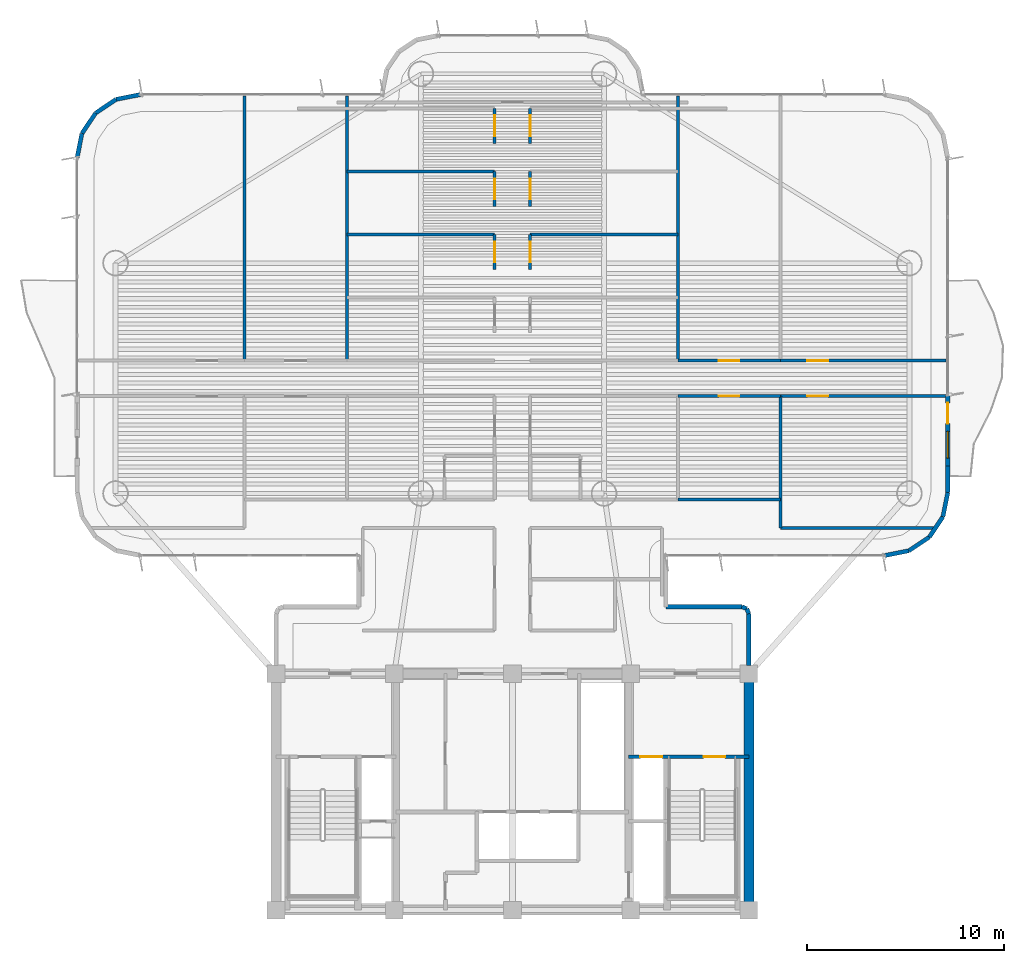
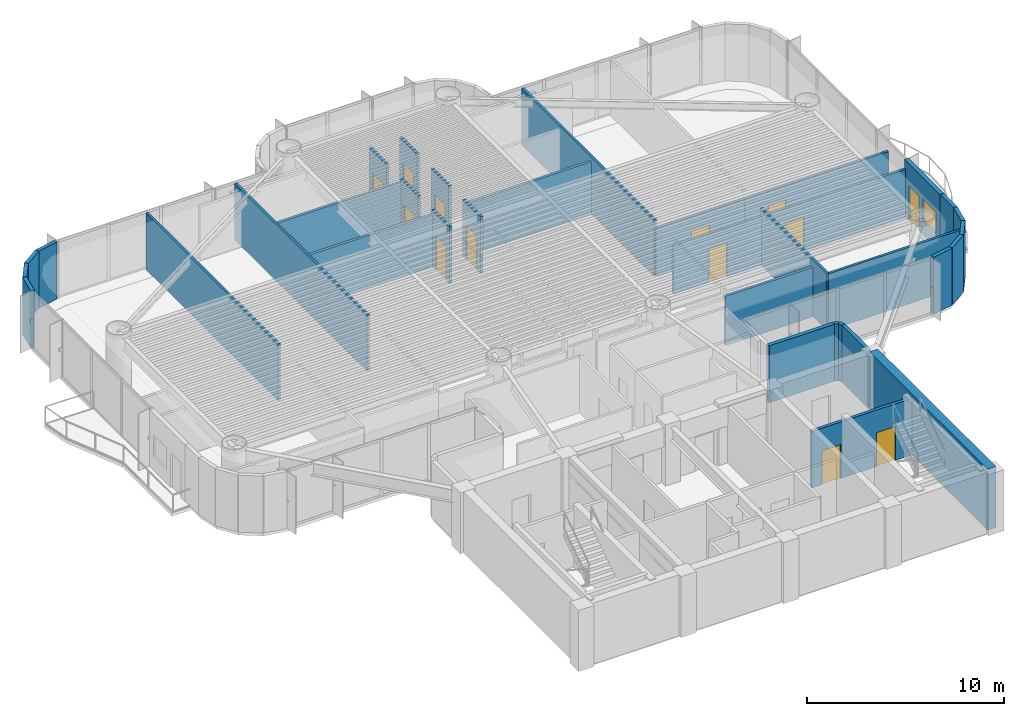
# One storey, part 11 of 16: 35 walls, 13 doors, 1 window, 14 openings.
"""IFC4 building model written with IfcOpenShell, lengths in metres."""

from ifc_helpers import new_model, si_unit, direction, frame, frame_2d, origin, origin_2d, place, context, subcontext, project, spatial, rectangle, extrude, source, transform, mapped, material, layer, layer_set, type_object, element, fill, save


model = new_model("IFC4")

# Units and contexts
model_context = context("Model", 3, precision=1e-05, world=origin(), true_north=direction((0.0, 1.0)))
body_context = subcontext(model_context, "Body", "Model", "MODEL_VIEW")
ifc_project = project(units=[si_unit("LENGTHUNIT", "METRE"), si_unit("AREAUNIT", "SQUARE_METRE"), si_unit("VOLUMEUNIT", "CUBIC_METRE"), si_unit("PLANEANGLEUNIT", "RADIAN"), si_unit("MASSUNIT", "GRAM", prefix="KILO")], contexts=[model_context])

# Site, building, storey
site_placement = place(None, origin())
site = spatial("IfcSite", under=ifc_project, at=site_placement, CompositionType="ELEMENT")
building_placement = place(site_placement, origin())
building = spatial("IfcBuilding", under=site, at=building_placement, Name="Brelvock Crest Care Tower", CompositionType="ELEMENT")
storey_placement = place(building_placement, frame((0.0, 0.0, 104.93994140625)))
storey = spatial("IfcBuildingStorey", under=building, at=storey_placement, Name="L26", CompositionType="ELEMENT", Elevation=104.93994140625)

# Wall
ifc_material_1 = material(Name="Concrete S80 (80 MPa)", Category="concrete")
ifc_layer_1 = layer(ifc_material_1, 0.5, Name="WL-CS2")
ifc_layer_set_1 = layer_set([ifc_layer_1], Name="Concrete S80 (80 MPa)")
wall_type_1 = type_object("IfcWallType", Name="WL-CS2", PredefinedType="SHEAR", material=ifc_layer_set_1)
wall_1_placement = place(storey_placement, frame((48.0, 18.0, 0.0), z_axis=(0.0, 0.0, 1.0), x_axis=(0.0, -1.0, 0.0)))
element("IfcWall", 1, at=wall_1_placement, inside=storey, type_object=wall_type_1, Name="L26 Core East Shear Wall", PredefinedType="SHEAR", context=body_context, shape_type="SweptSolid", body=[
    extrude(rectangle(XDim=12.0, YDim=0.5, at=frame_2d((6.0, 0.0))), origin(), (0.0, 0.0, 1.0), 3.780029296875),
])

# Wall, openings, door, window
ifc_material_2 = material(Name="Precast concrete N40 (40 MPa)", Category="concrete")
ifc_layer_2 = layer(ifc_material_2, 0.239990234375, Name="WL-EX1")
ifc_layer_set_2 = layer_set([ifc_layer_2], Name="Precast concrete N40 (40 MPa)")
wall_type_2 = type_object("IfcWallType", Name="WL-EX1", PredefinedType="SOLIDWALL", material=ifc_layer_set_2)
wall_2_placement = place(storey_placement, frame((58.10009765625, 32.14990234375, 0.0), z_axis=(0.0, 0.0, 1.0), x_axis=(0.0, -1.0, 0.0)))
wall_2 = element("IfcWall", 2, at=wall_2_placement, inside=storey, type_object=wall_type_2, Name="L26 Exterior Spandrel Wall WL-BAL-L26-E", PredefinedType="SOLIDWALL", context=body_context, shape_type="SweptSolid", body=[
    extrude(rectangle(XDim=3.599853515625, YDim=0.239990234375, at=frame_2d((1.7998046875, 0.0))), origin(), (0.0, 0.0, 1.0), 3.530029296875),
])
opening_1_placement = place(wall_2_placement, frame((0.39990234375, 0.0, 0.0)))
opening_1 = element("IfcOpeningElement", 3, at=opening_1_placement, cuts=wall_2, Name="Opening BD-1", PredefinedType="OPENING", context=body_context, shape_type="SweptSolid", body=[
    extrude(rectangle(XDim=1.050048828125, YDim=2.14990234375, at=origin_2d()), frame((0.52490234375, 0.1298828125, 1.074951171875), z_axis=(0.0, -1.0, 0.0), x_axis=(1.0, 0.0, 0.0)), (0.0, 0.0, 1.0), 0.260009765625),
])
opening_2_placement = place(wall_2_placement, frame((1.85009765625, 0.0, 0.85009765625)))
opening_2 = element("IfcOpeningElement", 4, at=opening_2_placement, cuts=wall_2, Name="Opening W-01", PredefinedType="OPENING", context=body_context, shape_type="SweptSolid", body=[
    extrude(rectangle(XDim=1.35009765625, YDim=1.35009765625, at=origin_2d()), frame((0.675048828125, 0.1298828125, 0.675048828125), z_axis=(0.0, -1.0, 0.0), x_axis=(1.0, 0.0, 0.0)), (0.0, 0.0, 1.0), 0.260009765625),
])
ifc_material_3 = material(Name="Dark Glass Double Glazed Low-E", Category="glass")
door_type_1 = type_object("IfcDoorType", Name="DR-BAL1", OperationType="NOTDEFINED", PredefinedType="DOOR", material=ifc_material_3)
shared_shape_1 = source(origin(), body_context, "Body", "SweptSolid", [
    extrude(rectangle(XDim=1.050048828125, YDim=2.14990234375, at=origin_2d()), frame((0.52490234375, 0.02490234375, 1.074951171875), z_axis=(0.0, -1.0, 0.0), x_axis=(1.0, 0.0, 0.0)), (0.0, 0.0, 1.0), 0.050048828125),
])
door_1_placement = place(opening_1_placement, origin())
door_1 = element("IfcDoor", 5, at=door_1_placement, inside=storey, type_object=door_type_1, Name="L26 E Wave Balcony Glazed Door", OperationType="SINGLE_SWING_RIGHT", OverallHeight=2.14990234375, OverallWidth=1.050048828125, PredefinedType="DOOR", context=body_context, shape_type="MappedRepresentation", body=[
    mapped(shared_shape_1, transform((0.0, 0.0, 0.0), x_axis=(1.0, 0.0, 0.0), y_axis=(0.0, 1.0, 0.0), z_axis=(0.0, 0.0, 1.0), scale=1.0)),
])
fill(opening_1, door_1)
window_type = type_object("IfcWindowType", Name="WN-EX1", PartitioningType="SINGLE_PANEL", PredefinedType="WINDOW", material=ifc_material_3)
shared_shape_2 = source(origin(), body_context, "Body", "SweptSolid", [
    extrude(rectangle(XDim=1.35009765625, YDim=1.35009765625, at=origin_2d()), frame((0.675048828125, 0.030029296875, 0.675048828125), z_axis=(0.0, -1.0, 0.0), x_axis=(1.0, 0.0, 0.0)), (0.0, 0.0, 1.0), 0.06005859375),
])
window_placement = place(opening_2_placement, origin())
window = element("IfcWindow", 6, at=window_placement, inside=storey, type_object=window_type, Name="L26 E Suite Casement Window", OverallHeight=1.35009765625, OverallWidth=1.35009765625, PartitioningType="SINGLE_PANEL", PredefinedType="WINDOW", context=body_context, shape_type="MappedRepresentation", body=[
    mapped(shared_shape_2, transform((0.0, 0.0, 0.0), x_axis=(1.0, 0.0, 0.0), y_axis=(0.0, 1.0, 0.0), z_axis=(0.0, 0.0, 1.0), scale=1.0)),
])
fill(opening_2, window)

# Walls
ifc_layer_3 = layer(ifc_material_2, 0.215087890625, Name="WL-EX2")
ifc_layer_set_3 = layer_set([ifc_layer_3], Name="Precast concrete N40 (40 MPa)")
wall_type_3 = type_object("IfcWallType", Name="WL-EX2", PredefinedType="SOLIDWALL", material=ifc_layer_set_3)
wall_3_placement = place(storey_placement, frame((47.8974609375, 21.297607421875, 0.0), z_axis=(0.0, 0.0, 1.0), x_axis=(0.382673670509, -0.923883575944, 0.0)))
element("IfcWall", 7, at=wall_3_placement, inside=storey, type_object=wall_type_3, Name="L26 Rounded Corner Wall 00", PredefinedType="SOLIDWALL", context=body_context, shape_type="SweptSolid", body=[
    extrude(rectangle(XDim=0.26806640625, YDim=0.215087890625, at=frame_2d((0.134033203125, 0.0))), origin(), (0.0, 0.0, 1.0), 3.530029296875),
])
wall_4_placement = place(storey_placement, frame((48.0, 21.050048828125, 0.0), z_axis=(0.0, 0.0, 1.0), x_axis=(0.0, -1.0, 0.0)))
element("IfcWall", 8, at=wall_4_placement, inside=storey, type_object=wall_type_3, Name="L26 Rounded Corner Wall 01", PredefinedType="SOLIDWALL", context=body_context, shape_type="SweptSolid", body=[
    extrude(rectangle(XDim=2.6201171875, YDim=0.215087890625, at=frame_2d((1.31005859375, 0.0))), origin(), (0.0, 0.0, 1.0), 3.530029296875),
])
for number, where, z_axis, x_axis, name in (
    (9, (13.89990234375, 44.199951171875, 0.0), (0.0, 0.0, 1.0), (0.195138390419, 0.980775717779, 0.0), "L26 Rounded Corner Wall 18"),
    (10, (14.1435546875, 45.424560546875, 0.0), (0.0, 0.0, 1.0), (0.555692485475, 0.831387912822, 0.0), "L26 Rounded Corner Wall 19"),
    (11, (14.83740234375, 46.462646484375, 0.0), (0.0, 0.0, 1.0), (0.831387912822, 0.555692485475, 0.0), "L26 Rounded Corner Wall 20"),
    (12, (15.87548828125, 47.156494140625, 0.0), (0.0, 0.0, 1.0), (0.980813122964, 0.194950295773, 0.0), "L26 Rounded Corner Wall 21"),
):
    element("IfcWall", number, at=place(storey_placement, frame(where, z_axis=z_axis, x_axis=x_axis)), inside=storey, type_object=wall_type_3, Name=name, PredefinedType="SOLIDWALL", context=body_context, shape_type="SweptSolid", body=[
        extrude(rectangle(XDim=1.24853515625, YDim=0.215087890625, at=frame_2d((0.624267578125, 0.0))), origin(), (0.0, 0.0, 1.0), 3.530029296875),
    ])
wall_5_placement = place(storey_placement, frame((58.10009765625, 28.550048828125, 0.0), z_axis=(0.0, 0.0, 1.0), x_axis=(0.0, -1.0, 0.0)))
element("IfcWall", 13, at=wall_5_placement, inside=storey, type_object=wall_type_3, Name="L26 Exterior Spandrel Pier E39B", PredefinedType="SOLIDWALL", context=body_context, shape_type="SweptSolid", body=[
    extrude(rectangle(XDim=1.35009765625, YDim=0.215087890625, at=frame_2d((0.675048828125, 0.0))), origin(), (0.0, 0.0, 1.0), 3.530029296875),
])
for number, where, z_axis, x_axis, name in (
    (14, (58.10009765625, 27.199951171875, 0.0), (0.0, 0.0, 1.0), (-0.195138390419, -0.980775717779, 0.0), "L26 Rounded Corner Wall 40"),
    (15, (57.8564453125, 25.975341796875, 0.0), (0.0, 0.0, 1.0), (-0.555692485475, -0.831387912822, 0.0), "L26 Rounded Corner Wall 41"),
    (16, (57.16259765625, 24.937255859375, 0.0), (0.0, 0.0, 1.0), (-0.831478245117, -0.555557312883, 0.0), "L26 Rounded Corner Wall 42"),
    (17, (56.12451171875, 24.24365234375, 0.0), (0.0, 0.0, 1.0), (-0.980775717779, -0.195138390419, 0.0), "L26 Rounded Corner Wall 43"),
):
    element("IfcWall", number, at=place(storey_placement, frame(where, z_axis=z_axis, x_axis=x_axis)), inside=storey, type_object=wall_type_3, Name=name, PredefinedType="SOLIDWALL", context=body_context, shape_type="SweptSolid", body=[
        extrude(rectangle(XDim=1.24853515625, YDim=0.215087890625, at=frame_2d((0.624267578125, 0.0))), origin(), (0.0, 0.0, 1.0), 3.530029296875),
    ])
wall_6_placement = place(storey_placement, frame((43.800048828125, 21.39990234375, 0.0), z_axis=(0.0, 0.0, 1.0), x_axis=(1.0, 0.0, 0.0)))
element("IfcWall", 18, at=wall_6_placement, inside=storey, type_object=wall_type_3, Name="L26 Rounded Corner Wall 46", PredefinedType="SOLIDWALL", context=body_context, shape_type="SweptSolid", body=[
    extrude(rectangle(XDim=3.849853515625, YDim=0.215087890625, at=frame_2d((1.9248046875, 0.0))), origin(), (0.0, 0.0, 1.0), 3.530029296875),
])
wall_7_placement = place(storey_placement, frame((47.64990234375, 21.39990234375, 0.0), z_axis=(0.0, 0.0, 1.0), x_axis=(0.924205486139, -0.381895560841, 0.0)))
element("IfcWall", 19, at=wall_7_placement, inside=storey, type_object=wall_type_3, Name="L26 Rounded Corner Wall 47", PredefinedType="SOLIDWALL", context=body_context, shape_type="SweptSolid", body=[
    extrude(rectangle(XDim=0.267822265625, YDim=0.215087890625, at=frame_2d((0.1337890625, 0.0))), origin(), (0.0, 0.0, 1.0), 3.530029296875),
])
ifc_material_4 = material(Name="Masonry Blockwork Acoustic Partition", Category="masonry")
ifc_layer_4 = layer(ifc_material_4, 0.14990234375, Name="WL-INT1")
ifc_layer_set_4 = layer_set([ifc_layer_4], Name="Masonry Blockwork Acoustic Partition")
wall_type_4 = type_object("IfcWallType", Name="WL-INT1", PredefinedType="PARTITIONING", material=ifc_layer_set_4)
wall_8_placement = place(storey_placement, frame((49.60009765625, 25.39990234375, 0.0), z_axis=(0.0, 0.0, 1.0), x_axis=(1.0, 0.0, 0.0)))
element("IfcWall", 20, at=wall_8_placement, inside=storey, type_object=wall_type_4, Name="L26 Interior Wall WL-BX-L26-SEB-S", PredefinedType="PARTITIONING", context=body_context, shape_type="SweptSolid", body=[
    extrude(rectangle(XDim=7.775634765625, YDim=0.14990234375, at=frame_2d((3.8876953125, 0.0))), origin(), (0.0, 0.0, 1.0), 3.5),
])
wall_9_placement = place(storey_placement, frame((44.39990234375, 26.85009765625, 0.0), z_axis=(0.0, 0.0, 1.0), x_axis=(1.0, 0.0, 0.0)))
element("IfcWall", 21, at=wall_9_placement, inside=storey, type_object=wall_type_4, Name="L26 Interior Wall WL-BX-L26-ISED-S", PredefinedType="PARTITIONING", context=body_context, shape_type="SweptSolid", body=[
    extrude(rectangle(XDim=5.2001953125, YDim=0.14990234375, at=frame_2d((2.60009765625, 0.0))), origin(), (0.0, 0.0, 1.0), 3.05517578125),
])

# Wall, opening, door
wall_10_placement = place(storey_placement, frame((44.39990234375, 32.10009765625, 0.0), z_axis=(0.0, 0.0, 1.0), x_axis=(1.0, 0.0, 0.0)))
wall_10 = element("IfcWall", 22, at=wall_10_placement, inside=storey, type_object=wall_type_4, Name="L26 Interior Wall WL-RM-L26-ISED", PredefinedType="PARTITIONING", context=body_context, shape_type="SweptSolid", body=[
    extrude(rectangle(XDim=5.2001953125, YDim=0.14990234375, at=frame_2d((2.60009765625, 0.0))), origin(), (0.0, 0.0, 1.0), 2.982177734375),
])
opening_3_placement = place(wall_10_placement, frame((2.074951171875, 0.0, 0.0)))
opening_3 = element("IfcOpeningElement", 23, at=opening_3_placement, cuts=wall_10, Name="Opening CLD-1", PredefinedType="OPENING", context=body_context, shape_type="SweptSolid", body=[
    extrude(rectangle(XDim=1.050048828125, YDim=2.10009765625, at=origin_2d()), frame((0.52490234375, 0.0849609375, 1.050048828125), z_axis=(0.0, -1.0, 0.0), x_axis=(1.0, 0.0, 0.0)), (0.0, 0.0, 1.0), 0.169921875),
])
ifc_material_5 = material(Name="Engineered Hardwood Timber", Category="wood")
door_type_2 = type_object("IfcDoorType", Name="DR-CLN1", OperationType="NOTDEFINED", PredefinedType="DOOR", material=ifc_material_5)
shared_shape_3 = source(origin(), body_context, "Body", "SweptSolid", [
    extrude(rectangle(XDim=1.050048828125, YDim=2.10009765625, at=origin_2d()), frame((0.52490234375, 0.02490234375, 1.050048828125), z_axis=(0.0, -1.0, 0.0), x_axis=(1.0, 0.0, 0.0)), (0.0, 0.0, 1.0), 0.050048828125),
])
door_2_placement = place(opening_3_placement, origin())
door_2 = element("IfcDoor", 24, at=door_2_placement, inside=storey, type_object=door_type_2, Name="L26 Geriatric Nurse Station Door ISED", OperationType="SINGLE_SWING_LEFT", OverallHeight=2.10009765625, OverallWidth=1.050048828125, PredefinedType="DOOR", context=body_context, shape_type="MappedRepresentation", body=[
    mapped(shared_shape_3, transform((0.0, 0.0, 0.0), x_axis=(1.0, 0.0, 0.0), y_axis=(0.0, 1.0, 0.0), z_axis=(0.0, 0.0, 1.0), scale=1.0)),
])
fill(opening_3, door_2)

wall_11_placement = place(storey_placement, frame((49.60009765625, 32.10009765625, 0.0), z_axis=(0.0, 0.0, 1.0), x_axis=(1.0, 0.0, 0.0)))
wall_11 = element("IfcWall", 25, at=wall_11_placement, inside=storey, type_object=wall_type_4, Name="L26 Interior Wall WL-RM-L26-SEB", PredefinedType="PARTITIONING", context=body_context, shape_type="SweptSolid", body=[
    extrude(rectangle(XDim=8.419921875, YDim=0.14990234375, at=frame_2d((4.2099609375, 0.0))), origin(), (0.0, 0.0, 1.0), 2.982177734375),
])
opening_4_placement = place(wall_11_placement, frame((1.375, 0.0, 0.0)))
opening_4 = element("IfcOpeningElement", 26, at=opening_4_placement, cuts=wall_11, Name="Opening CD-1", PredefinedType="OPENING", context=body_context, shape_type="SweptSolid", body=[
    extrude(rectangle(XDim=1.050048828125, YDim=2.10009765625, at=origin_2d()), frame((0.52490234375, 0.0849609375, 1.050048828125), z_axis=(0.0, -1.0, 0.0), x_axis=(1.0, 0.0, 0.0)), (0.0, 0.0, 1.0), 0.169921875),
])
door_type_3 = type_object("IfcDoorType", Name="DR-CARE1", OperationType="NOTDEFINED", PredefinedType="DOOR", material=ifc_material_5)
shared_shape_4 = source(origin(), body_context, "Body", "SweptSolid", [
    extrude(rectangle(XDim=1.050048828125, YDim=2.10009765625, at=origin_2d()), frame((0.52490234375, 0.02490234375, 1.050048828125), z_axis=(0.0, -1.0, 0.0), x_axis=(1.0, 0.0, 0.0)), (0.0, 0.0, 1.0), 0.050048828125),
])
door_3_placement = place(opening_4_placement, origin())
door_3 = element("IfcDoor", 27, at=door_3_placement, inside=storey, type_object=door_type_3, Name="L26 Assisted Care Therapy Hall Door SEB", OperationType="SINGLE_SWING_LEFT", OverallHeight=2.10009765625, OverallWidth=1.050048828125, PredefinedType="DOOR", context=body_context, shape_type="MappedRepresentation", body=[
    mapped(shared_shape_4, transform((0.0, 0.0, 0.0), x_axis=(1.0, 0.0, 0.0), y_axis=(0.0, 1.0, 0.0), z_axis=(0.0, 0.0, 1.0), scale=1.0)),
])
fill(opening_4, door_3)

wall_12_placement = place(storey_placement, frame((44.39990234375, 33.89990234375, 0.0), z_axis=(0.0, 0.0, 1.0), x_axis=(1.0, 0.0, 0.0)))
wall_12 = element("IfcWall", 28, at=wall_12_placement, inside=storey, type_object=wall_type_4, Name="L26 Interior Wall WL-RM-L26-INED", PredefinedType="PARTITIONING", context=body_context, shape_type="SweptSolid", body=[
    extrude(rectangle(XDim=5.2001953125, YDim=0.14990234375, at=frame_2d((2.60009765625, 0.0))), origin(), (0.0, 0.0, 1.0), 2.982177734375),
])
opening_5_placement = place(wall_12_placement, frame((2.074951171875, 0.0, 0.0)))
opening_5 = element("IfcOpeningElement", 29, at=opening_5_placement, cuts=wall_12, Name="Opening CLD-1", PredefinedType="OPENING", context=body_context, shape_type="SweptSolid", body=[
    extrude(rectangle(XDim=1.050048828125, YDim=2.10009765625, at=origin_2d()), frame((0.52490234375, 0.0849609375, 1.050048828125), z_axis=(0.0, -1.0, 0.0), x_axis=(1.0, 0.0, 0.0)), (0.0, 0.0, 1.0), 0.169921875),
])
door_4_placement = place(opening_5_placement, origin())
door_4 = element("IfcDoor", 30, at=door_4_placement, inside=storey, type_object=door_type_2, Name="L26 Geriatric Nurse Station Door INED", OperationType="SINGLE_SWING_LEFT", OverallHeight=2.10009765625, OverallWidth=1.050048828125, PredefinedType="DOOR", context=body_context, shape_type="MappedRepresentation", body=[
    mapped(shared_shape_3, transform((0.0, 0.0, 0.0), x_axis=(1.0, 0.0, 0.0), y_axis=(0.0, 1.0, 0.0), z_axis=(0.0, 0.0, 1.0), scale=1.0)),
])
fill(opening_5, door_4)

wall_13_placement = place(storey_placement, frame((49.60009765625, 33.89990234375, 0.0), z_axis=(0.0, 0.0, 1.0), x_axis=(1.0, 0.0, 0.0)))
wall_13 = element("IfcWall", 31, at=wall_13_placement, inside=storey, type_object=wall_type_4, Name="L26 Interior Wall WL-RM-L26-NEB", PredefinedType="PARTITIONING", context=body_context, shape_type="SweptSolid", body=[
    extrude(rectangle(XDim=8.419921875, YDim=0.14990234375, at=frame_2d((4.2099609375, 0.0))), origin(), (0.0, 0.0, 1.0), 2.982177734375),
])
opening_6_placement = place(wall_13_placement, frame((1.375, 0.0, 0.0)))
opening_6 = element("IfcOpeningElement", 32, at=opening_6_placement, cuts=wall_13, Name="Opening CD-1", PredefinedType="OPENING", context=body_context, shape_type="SweptSolid", body=[
    extrude(rectangle(XDim=1.050048828125, YDim=2.10009765625, at=origin_2d()), frame((0.52490234375, 0.0849609375, 1.050048828125), z_axis=(0.0, -1.0, 0.0), x_axis=(1.0, 0.0, 0.0)), (0.0, 0.0, 1.0), 0.169921875),
])
door_5_placement = place(opening_6_placement, origin())
door_5 = element("IfcDoor", 33, at=door_5_placement, inside=storey, type_object=door_type_3, Name="L26 Assisted Care Therapy Hall Door NEB", OperationType="SINGLE_SWING_LEFT", OverallHeight=2.10009765625, OverallWidth=1.050048828125, PredefinedType="DOOR", context=body_context, shape_type="MappedRepresentation", body=[
    mapped(shared_shape_4, transform((0.0, 0.0, 0.0), x_axis=(1.0, 0.0, 0.0), y_axis=(0.0, 1.0, 0.0), z_axis=(0.0, 0.0, 1.0), scale=1.0)),
])
fill(opening_6, door_5)

# Walls
for number, where, z_axis, x_axis, name in (
    (34, (27.60009765625, 40.300048828125, 0.0), (0.0, 0.0, 1.0), (1.0, 0.0, 0.0), "L26 Interior Wall WL-BX-L26-CS-INWCAB-N"),
    (35, (36.89990234375, 40.300048828125, 0.0), (0.0, 0.0, 1.0), (1.0, 0.0, 0.0), "L26 Interior Wall WL-BX-L26-CS-INECAB-N"),
):
    element("IfcWall", number, at=place(storey_placement, frame(where, z_axis=z_axis, x_axis=x_axis)), inside=storey, type_object=wall_type_4, Name=name, PredefinedType="PARTITIONING", context=body_context, shape_type="SweptSolid", body=[
        extrude(rectangle(XDim=7.5, YDim=0.14990234375, at=frame_2d((3.75, 0.0))), origin(), (0.0, 0.0, 1.0), 3.259033203125),
    ])
wall_14_placement = place(storey_placement, frame((27.60009765625, 43.5, 0.0), z_axis=(0.0, 0.0, 1.0), x_axis=(1.0, 0.0, 0.0)))
element("IfcWall", 36, at=wall_14_placement, inside=storey, type_object=wall_type_4, Name="L26 Interior Wall WL-BX-L26-CS-INWCBA-N", PredefinedType="PARTITIONING", context=body_context, shape_type="SweptSolid", body=[
    extrude(rectangle(XDim=7.5, YDim=0.14990234375, at=frame_2d((3.75, 0.0))), origin(), (0.0, 0.0, 1.0), 3.30810546875),
])
wall_15_placement = place(storey_placement, frame((22.39990234375, 33.89990234375, 0.0), z_axis=(0.0, 0.0, 1.0), x_axis=(0.0, 1.0, 0.0)))
element("IfcWall", 37, at=wall_15_placement, inside=storey, type_object=wall_type_4, Name="L26 Interior Wall WL-BX-L26-INWD-W", PredefinedType="PARTITIONING", context=body_context, shape_type="SweptSolid", body=[
    extrude(rectangle(XDim=13.4208984375, YDim=0.14990234375, at=frame_2d((6.71044921875, 0.0))), origin(), (0.0, 0.0, 1.0), 3.5),
])
wall_16_placement = place(storey_placement, frame((27.60009765625, 33.89990234375, 0.0), z_axis=(0.0, 0.0, 1.0), x_axis=(0.0, 1.0, 0.0)))
element("IfcWall", 38, at=wall_16_placement, inside=storey, type_object=wall_type_4, Name="L26 Interior Wall WL-BX-L26-INWD-E", PredefinedType="PARTITIONING", context=body_context, shape_type="SweptSolid", body=[
    extrude(rectangle(XDim=13.42138671875, YDim=0.14990234375, at=frame_2d((6.710693359375, 0.0))), origin(), (0.0, 0.0, 1.0), 3.5),
])

# Wall, opening, door
wall_17_placement = place(storey_placement, frame((35.10009765625, 38.52001953125, 0.0), z_axis=(0.0, 0.0, 1.0), x_axis=(0.0, 1.0, 0.0)))
wall_17 = element("IfcWall", 39, at=wall_17_placement, inside=storey, type_object=wall_type_4, Name="L26 Interior Wall WL-CENT-L26-INWCAB", PredefinedType="PARTITIONING", context=body_context, shape_type="SweptSolid", body=[
    extrude(rectangle(XDim=1.780029296875, YDim=0.14990234375, at=frame_2d((0.89013671875, 0.0))), origin(), (0.0, 0.0, 1.0), 3.5),
])
opening_7_placement = place(wall_17_placement, frame((0.3701171875, 0.0, 0.0)))
opening_7 = element("IfcOpeningElement", 40, at=opening_7_placement, cuts=wall_17, Name="Opening CD-1", PredefinedType="OPENING", context=body_context, shape_type="SweptSolid", body=[
    extrude(rectangle(XDim=1.050048828125, YDim=2.10009765625, at=origin_2d()), frame((0.52490234375, 0.0849609375, 1.050048828125), z_axis=(0.0, -1.0, 0.0), x_axis=(1.0, 0.0, 0.0)), (0.0, 0.0, 1.0), 0.169921875),
])
door_6_placement = place(opening_7_placement, origin())
door_6 = element("IfcDoor", 41, at=door_6_placement, inside=storey, type_object=door_type_3, Name="L26 Care Suite Door INWCAB", OperationType="SINGLE_SWING_LEFT", OverallHeight=2.10009765625, OverallWidth=1.050048828125, PredefinedType="DOOR", context=body_context, shape_type="MappedRepresentation", body=[
    mapped(shared_shape_4, transform((0.0, 0.0, 0.0), x_axis=(1.0, 0.0, 0.0), y_axis=(0.0, 1.0, 0.0), z_axis=(0.0, 0.0, 1.0), scale=1.0)),
])
fill(opening_7, door_6)

wall_18_placement = place(storey_placement, frame((35.10009765625, 41.719970703125, 0.0), z_axis=(0.0, 0.0, 1.0), x_axis=(0.0, 1.0, 0.0)))
wall_18 = element("IfcWall", 42, at=wall_18_placement, inside=storey, type_object=wall_type_4, Name="L26 Interior Wall WL-CENT-L26-INWCBA", PredefinedType="PARTITIONING", context=body_context, shape_type="SweptSolid", body=[
    extrude(rectangle(XDim=1.780029296875, YDim=0.14990234375, at=frame_2d((0.89013671875, 0.0))), origin(), (0.0, 0.0, 1.0), 3.5),
])
opening_8_placement = place(wall_18_placement, frame((0.3701171875, 0.0, 0.0)))
opening_8 = element("IfcOpeningElement", 43, at=opening_8_placement, cuts=wall_18, Name="Opening CD-1", PredefinedType="OPENING", context=body_context, shape_type="SweptSolid", body=[
    extrude(rectangle(XDim=1.050048828125, YDim=2.10009765625, at=origin_2d()), frame((0.52490234375, 0.0849609375, 1.050048828125), z_axis=(0.0, -1.0, 0.0), x_axis=(1.0, 0.0, 0.0)), (0.0, 0.0, 1.0), 0.169921875),
])
door_7_placement = place(opening_8_placement, origin())
door_7 = element("IfcDoor", 44, at=door_7_placement, inside=storey, type_object=door_type_3, Name="L26 Care Suite Door INWCBA", OperationType="SINGLE_SWING_LEFT", OverallHeight=2.10009765625, OverallWidth=1.050048828125, PredefinedType="DOOR", context=body_context, shape_type="MappedRepresentation", body=[
    mapped(shared_shape_4, transform((0.0, 0.0, 0.0), x_axis=(1.0, 0.0, 0.0), y_axis=(0.0, 1.0, 0.0), z_axis=(0.0, 0.0, 1.0), scale=1.0)),
])
fill(opening_8, door_7)

wall_19_placement = place(storey_placement, frame((35.10009765625, 44.919921875, 0.0), z_axis=(0.0, 0.0, 1.0), x_axis=(0.0, 1.0, 0.0)))
wall_19 = element("IfcWall", 45, at=wall_19_placement, inside=storey, type_object=wall_type_4, Name="L26 Interior Wall WL-CENT-L26-INWCBB", PredefinedType="PARTITIONING", context=body_context, shape_type="SweptSolid", body=[
    extrude(rectangle(XDim=1.780029296875, YDim=0.14990234375, at=frame_2d((0.89013671875, 0.0))), origin(), (0.0, 0.0, 1.0), 3.5),
])
opening_9_placement = place(wall_19_placement, frame((0.3701171875, 0.0, 0.0)))
opening_9 = element("IfcOpeningElement", 46, at=opening_9_placement, cuts=wall_19, Name="Opening CD-1", PredefinedType="OPENING", context=body_context, shape_type="SweptSolid", body=[
    extrude(rectangle(XDim=1.050048828125, YDim=2.10009765625, at=origin_2d()), frame((0.52490234375, 0.0849609375, 1.050048828125), z_axis=(0.0, -1.0, 0.0), x_axis=(1.0, 0.0, 0.0)), (0.0, 0.0, 1.0), 0.169921875),
])
door_8_placement = place(opening_9_placement, origin())
door_8 = element("IfcDoor", 47, at=door_8_placement, inside=storey, type_object=door_type_3, Name="L26 Care Suite Door INWCBB", OperationType="SINGLE_SWING_LEFT", OverallHeight=2.10009765625, OverallWidth=1.050048828125, PredefinedType="DOOR", context=body_context, shape_type="MappedRepresentation", body=[
    mapped(shared_shape_4, transform((0.0, 0.0, 0.0), x_axis=(1.0, 0.0, 0.0), y_axis=(0.0, 1.0, 0.0), z_axis=(0.0, 0.0, 1.0), scale=1.0)),
])
fill(opening_9, door_8)

wall_20_placement = place(storey_placement, frame((36.89990234375, 38.52001953125, 0.0), z_axis=(0.0, 0.0, 1.0), x_axis=(0.0, 1.0, 0.0)))
wall_20 = element("IfcWall", 48, at=wall_20_placement, inside=storey, type_object=wall_type_4, Name="L26 Interior Wall WL-CENT-L26-INECAB", PredefinedType="PARTITIONING", context=body_context, shape_type="SweptSolid", body=[
    extrude(rectangle(XDim=1.780029296875, YDim=0.14990234375, at=frame_2d((0.89013671875, 0.0))), origin(), (0.0, 0.0, 1.0), 3.5),
])
opening_10_placement = place(wall_20_placement, frame((0.3701171875, 0.0, 0.0)))
opening_10 = element("IfcOpeningElement", 49, at=opening_10_placement, cuts=wall_20, Name="Opening CD-1", PredefinedType="OPENING", context=body_context, shape_type="SweptSolid", body=[
    extrude(rectangle(XDim=1.050048828125, YDim=2.10009765625, at=origin_2d()), frame((0.52490234375, 0.0849609375, 1.050048828125), z_axis=(0.0, -1.0, 0.0), x_axis=(1.0, 0.0, 0.0)), (0.0, 0.0, 1.0), 0.169921875),
])
door_9_placement = place(opening_10_placement, origin())
door_9 = element("IfcDoor", 50, at=door_9_placement, inside=storey, type_object=door_type_3, Name="L26 Care Suite Door INECAB", OperationType="SINGLE_SWING_LEFT", OverallHeight=2.10009765625, OverallWidth=1.050048828125, PredefinedType="DOOR", context=body_context, shape_type="MappedRepresentation", body=[
    mapped(shared_shape_4, transform((0.0, 0.0, 0.0), x_axis=(1.0, 0.0, 0.0), y_axis=(0.0, 1.0, 0.0), z_axis=(0.0, 0.0, 1.0), scale=1.0)),
])
fill(opening_10, door_9)

wall_21_placement = place(storey_placement, frame((36.89990234375, 41.719970703125, 0.0), z_axis=(0.0, 0.0, 1.0), x_axis=(0.0, 1.0, 0.0)))
wall_21 = element("IfcWall", 51, at=wall_21_placement, inside=storey, type_object=wall_type_4, Name="L26 Interior Wall WL-CENT-L26-INECBA", PredefinedType="PARTITIONING", context=body_context, shape_type="SweptSolid", body=[
    extrude(rectangle(XDim=1.780029296875, YDim=0.14990234375, at=frame_2d((0.89013671875, 0.0))), origin(), (0.0, 0.0, 1.0), 3.5),
])
opening_11_placement = place(wall_21_placement, frame((0.3701171875, 0.0, 0.0)))
opening_11 = element("IfcOpeningElement", 52, at=opening_11_placement, cuts=wall_21, Name="Opening CD-1", PredefinedType="OPENING", context=body_context, shape_type="SweptSolid", body=[
    extrude(rectangle(XDim=1.050048828125, YDim=2.10009765625, at=origin_2d()), frame((0.52490234375, 0.0849609375, 1.050048828125), z_axis=(0.0, -1.0, 0.0), x_axis=(1.0, 0.0, 0.0)), (0.0, 0.0, 1.0), 0.169921875),
])
door_10_placement = place(opening_11_placement, origin())
door_10 = element("IfcDoor", 53, at=door_10_placement, inside=storey, type_object=door_type_3, Name="L26 Care Suite Door INECBA", OperationType="SINGLE_SWING_LEFT", OverallHeight=2.10009765625, OverallWidth=1.050048828125, PredefinedType="DOOR", context=body_context, shape_type="MappedRepresentation", body=[
    mapped(shared_shape_4, transform((0.0, 0.0, 0.0), x_axis=(1.0, 0.0, 0.0), y_axis=(0.0, 1.0, 0.0), z_axis=(0.0, 0.0, 1.0), scale=1.0)),
])
fill(opening_11, door_10)

wall_22_placement = place(storey_placement, frame((36.89990234375, 44.919921875, 0.0), z_axis=(0.0, 0.0, 1.0), x_axis=(0.0, 1.0, 0.0)))
wall_22 = element("IfcWall", 54, at=wall_22_placement, inside=storey, type_object=wall_type_4, Name="L26 Interior Wall WL-CENT-L26-INECBB", PredefinedType="PARTITIONING", context=body_context, shape_type="SweptSolid", body=[
    extrude(rectangle(XDim=1.780029296875, YDim=0.14990234375, at=frame_2d((0.89013671875, 0.0))), origin(), (0.0, 0.0, 1.0), 3.5),
])
opening_12_placement = place(wall_22_placement, frame((0.3701171875, 0.0, 0.0)))
opening_12 = element("IfcOpeningElement", 55, at=opening_12_placement, cuts=wall_22, Name="Opening CD-1", PredefinedType="OPENING", context=body_context, shape_type="SweptSolid", body=[
    extrude(rectangle(XDim=1.050048828125, YDim=2.10009765625, at=origin_2d()), frame((0.52490234375, 0.0849609375, 1.050048828125), z_axis=(0.0, -1.0, 0.0), x_axis=(1.0, 0.0, 0.0)), (0.0, 0.0, 1.0), 0.169921875),
])
door_11_placement = place(opening_12_placement, origin())
door_11 = element("IfcDoor", 56, at=door_11_placement, inside=storey, type_object=door_type_3, Name="L26 Care Suite Door INECBB", OperationType="SINGLE_SWING_LEFT", OverallHeight=2.10009765625, OverallWidth=1.050048828125, PredefinedType="DOOR", context=body_context, shape_type="MappedRepresentation", body=[
    mapped(shared_shape_4, transform((0.0, 0.0, 0.0), x_axis=(1.0, 0.0, 0.0), y_axis=(0.0, 1.0, 0.0), z_axis=(0.0, 0.0, 1.0), scale=1.0)),
])
fill(opening_12, door_11)

# Walls
wall_23_placement = place(storey_placement, frame((44.39990234375, 33.89990234375, 0.0), z_axis=(0.0, 0.0, 1.0), x_axis=(0.0, 1.0, 0.0)))
element("IfcWall", 57, at=wall_23_placement, inside=storey, type_object=wall_type_4, Name="L26 Interior Wall WL-BX-L26-INED-W", PredefinedType="PARTITIONING", context=body_context, shape_type="SweptSolid", body=[
    extrude(rectangle(XDim=13.42138671875, YDim=0.14990234375, at=frame_2d((6.710693359375, 0.0))), origin(), (0.0, 0.0, 1.0), 3.5),
])
wall_24_placement = place(storey_placement, frame((49.60009765625, 25.39990234375, 0.0), z_axis=(0.0, 0.0, 1.0), x_axis=(0.0, 1.0, 0.0)))
element("IfcWall", 58, at=wall_24_placement, inside=storey, type_object=wall_type_4, Name="L26 Interior Wall WL-BX-L26-SEB-W", PredefinedType="PARTITIONING", context=body_context, shape_type="SweptSolid", body=[
    extrude(rectangle(XDim=6.7001953125, YDim=0.14990234375, at=frame_2d((3.35009765625, 0.0))), origin(), (0.0, 0.0, 1.0), 3.5),
])

# Wall, openings, doors
ifc_layer_5 = layer(ifc_material_4, 0.179931640625, Name="WL-SHF1")
ifc_layer_set_5 = layer_set([ifc_layer_5], Name="Masonry Blockwork Acoustic Partition")
wall_type_5 = type_object("IfcWallType", Name="WL-SHF1", PredefinedType="PARTITIONING", material=ifc_layer_set_5)
wall_25_placement = place(storey_placement, frame((41.89990234375, 13.780029296875, 0.0), z_axis=(0.0, 0.0, 1.0), x_axis=(1.0, 0.0, 0.0)))
wall_25 = element("IfcWall", 59, at=wall_25_placement, inside=storey, type_object=wall_type_5, Name="L26 Interior Wall WL-ST2-N-L26", PredefinedType="PARTITIONING", context=body_context, shape_type="SweptSolid", body=[
    extrude(rectangle(XDim=6.10009765625, YDim=0.179931640625, at=frame_2d((3.050048828125, 0.0))), origin(), (0.0, 0.0, 1.0), 3.5),
])
opening_13_placement = place(wall_25_placement, frame((0.60009765625, 0.0, 0.0)))
opening_13 = element("IfcOpeningElement", 60, at=opening_13_placement, cuts=wall_25, Name="Opening LD", PredefinedType="OPENING", context=body_context, shape_type="SweptSolid", body=[
    extrude(rectangle(XDim=1.10009765625, YDim=2.10009765625, at=origin_2d()), frame((0.550048828125, 0.10009765625, 1.050048828125), z_axis=(0.0, -1.0, 0.0), x_axis=(1.0, 0.0, 0.0)), (0.0, 0.0, 1.0), 0.199951171875),
])
opening_14_placement = place(wall_25_placement, frame((3.800048828125, 0.0, 0.0)))
opening_14 = element("IfcOpeningElement", 61, at=opening_14_placement, cuts=wall_25, Name="Opening SD-1", PredefinedType="OPENING", context=body_context, shape_type="SweptSolid", body=[
    extrude(rectangle(XDim=1.10009765625, YDim=2.10009765625, at=origin_2d()), frame((0.550048828125, 0.10009765625, 1.050048828125), z_axis=(0.0, -1.0, 0.0), x_axis=(1.0, 0.0, 0.0)), (0.0, 0.0, 1.0), 0.199951171875),
])
ifc_material_6 = material(Name="Steel Grade 350", Category="steel")
door_type_4 = type_object("IfcDoorType", Name="DR-ST1", OperationType="NOTDEFINED", PredefinedType="DOOR", material=ifc_material_6)
shared_shape_5 = source(origin(), body_context, "Body", "SweptSolid", [
    extrude(rectangle(XDim=1.10009765625, YDim=2.10009765625, at=origin_2d()), frame((0.550048828125, 0.02490234375, 1.050048828125), z_axis=(0.0, -1.0, 0.0), x_axis=(1.0, 0.0, 0.0)), (0.0, 0.0, 1.0), 0.050048828125),
])
door_12_placement = place(opening_14_placement, origin())
door_12 = element("IfcDoor", 62, at=door_12_placement, inside=storey, type_object=door_type_4, Name="L26 Fire Stair ST-2 Door", OperationType="SINGLE_SWING_RIGHT", OverallHeight=2.10009765625, OverallWidth=1.10009765625, PredefinedType="DOOR", context=body_context, shape_type="MappedRepresentation", body=[
    mapped(shared_shape_5, transform((0.0, 0.0, 0.0), x_axis=(1.0, 0.0, 0.0), y_axis=(0.0, 1.0, 0.0), z_axis=(0.0, 0.0, 1.0), scale=1.0)),
])
fill(opening_14, door_12)
door_type_5 = type_object("IfcDoorType", Name="DR-LD1", OperationType="NOTDEFINED", PredefinedType="DOOR", material=ifc_material_6)
shared_shape_6 = source(origin(), body_context, "Body", "SweptSolid", [
    extrude(rectangle(XDim=1.10009765625, YDim=2.10009765625, at=origin_2d()), frame((0.550048828125, 0.02490234375, 1.050048828125), z_axis=(0.0, -1.0, 0.0), x_axis=(1.0, 0.0, 0.0)), (0.0, 0.0, 1.0), 0.050048828125),
])
door_13_placement = place(opening_13_placement, origin())
door_13 = element("IfcDoor", 63, at=door_13_placement, inside=storey, type_object=door_type_5, Name="L26 Firefighting Lift FFL-2 Landing Door", OperationType="SLIDING_TO_RIGHT", OverallHeight=2.10009765625, OverallWidth=1.10009765625, PredefinedType="DOOR", context=body_context, shape_type="MappedRepresentation", body=[
    mapped(shared_shape_6, transform((0.0, 0.0, 0.0), x_axis=(1.0, 0.0, 0.0), y_axis=(0.0, 1.0, 0.0), z_axis=(0.0, 0.0, 1.0), scale=1.0)),
])
fill(opening_13, door_13)

save(model, "model.ifc")
